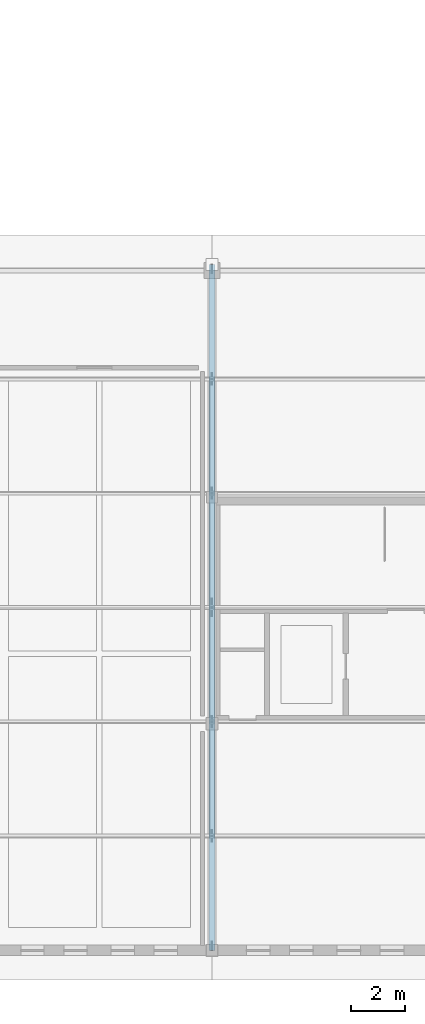
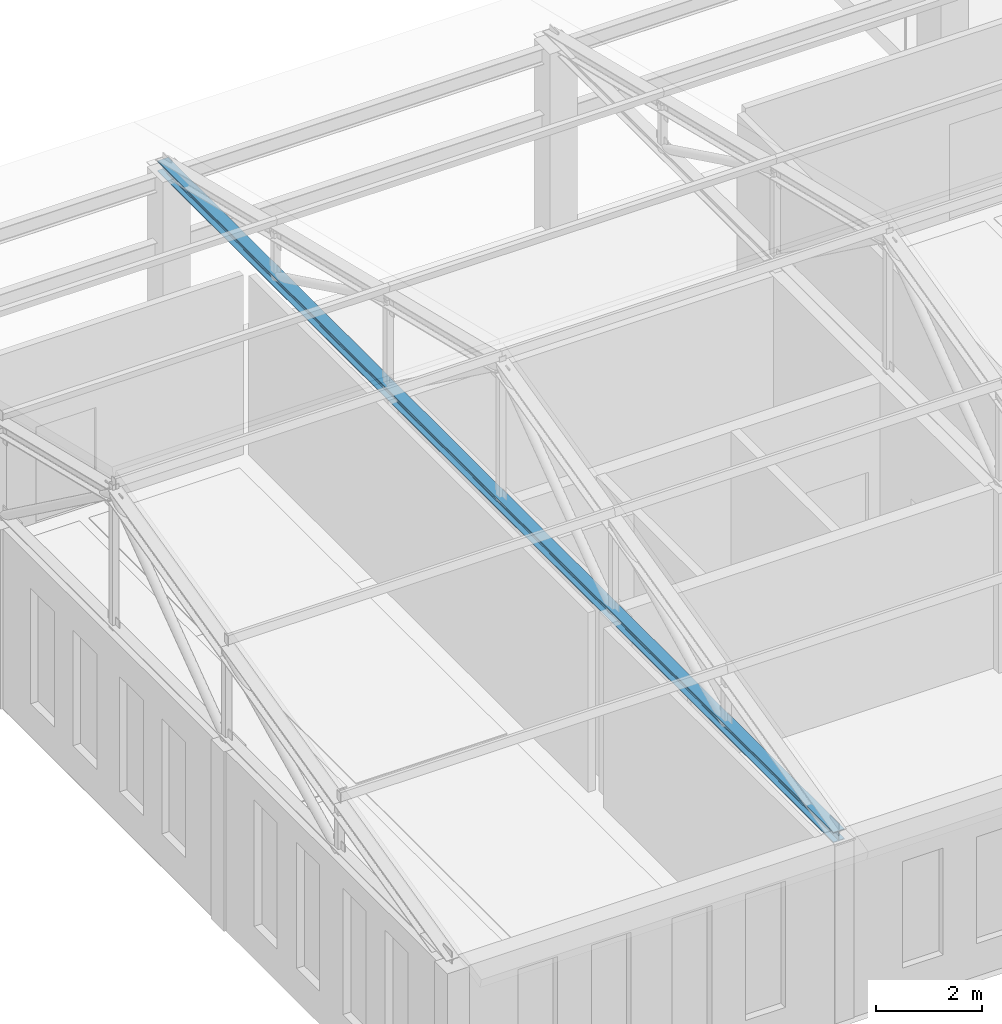
# One storey, part 16 of 192: 1 member.
"""IFC4 building model written with IfcOpenShell, lengths in metres."""

import ifcopenshell
import ifcopenshell.guid

model = None  # the IFC model being written
_history = None  # IfcOwnerHistory: only IFC2X3 demands one
_inside = {}  # id of a spatial element -> (the spatial element, [elements in it])
_under = {}  # id of a project, library or spatial element -> (it, [spatial elements below it])
_declared = {}  # id of a project -> (the project, [libraries it declares])
_typed = {}  # id of a type object -> (the type object, [elements of that type])
_made_of = {}  # id of a material, layer set ... -> (it, [elements and type objects made of it])


def new_model(schema):
    """Start an empty IFC model of exactly this schema.

    Asked for "IFC4X3", IfcOpenShell would pick the latest addendum, in which some entities
    have other attributes; the version numbers below select the first issue.
    IFC2X3 requires an IfcOwnerHistory on every rooted entity: one is made here for all.
    """
    global model, _history
    if schema == "IFC4X3":
        model = ifcopenshell.file(schema_version=(4, 3, 0, 0))
    else:
        model = ifcopenshell.file(schema=schema)
    _inside.clear()
    _under.clear()
    _declared.clear()
    _typed.clear()
    _made_of.clear()
    _history = None
    if model.schema == "IFC2X3":
        org = make("IfcOrganization", Name="unknown")
        user = make(
            "IfcPersonAndOrganization",
            ThePerson=make("IfcPerson", FamilyName="unknown"),
            TheOrganization=org,
        )
        app = make(
            "IfcApplication",
            ApplicationDeveloper=org,
            Version="unknown",
            ApplicationFullName="unknown",
            ApplicationIdentifier="unknown",
        )
        _history = make(
            "IfcOwnerHistory",
            OwningUser=user,
            OwningApplication=app,
            ChangeAction="ADDED",
            CreationDate=0,
        )
    return model


def make(cls, **values):
    """One entity of the class cls with the attributes given. An attribute that is None is left unset."""
    return model.create_entity(
        cls, **{name: value for name, value in values.items() if value is not None}
    )


def rooted(cls, **values):
    """An entity with a GlobalId (a new one), such as an element, a storey or a relation."""
    return make(cls, GlobalId=ifcopenshell.guid.new(), OwnerHistory=_history, **values)


def si_unit(unit_type, name, prefix=None):
    """IfcSIUnit, for example si_unit("LENGTHUNIT", "METRE", prefix="MILLI")."""
    return make("IfcSIUnit", UnitType=unit_type, Prefix=prefix, Name=name)


def assignment(units):
    """IfcUnitAssignment: the units of a project."""
    return None if units is None else make("IfcUnitAssignment", Units=units)


def point(xyz):
    """IfcCartesianPoint."""
    return None if xyz is None else make("IfcCartesianPoint", Coordinates=xyz)


def direction(xyz):
    """IfcDirection."""
    return None if xyz is None else make("IfcDirection", DirectionRatios=xyz)


def frame(location, z_axis=None, x_axis=None):
    """IfcAxis2Placement3D, a coordinate frame: its origin and axes. An axis left out is left unset."""
    return make(
        "IfcAxis2Placement3D",
        Location=point(location),
        Axis=direction(z_axis),
        RefDirection=direction(x_axis),
    )


def frame_2d(location, x_axis=None):
    """IfcAxis2Placement2D, a coordinate frame in the plane: its origin and x axis."""
    return make(
        "IfcAxis2Placement2D", Location=point(location), RefDirection=direction(x_axis)
    )


def origin():
    """The frame at (0, 0, 0) with its axes left unset."""
    return frame((0.0, 0.0, 0.0))


def origin_2d():
    """The frame at (0, 0) in the plane with its x axis left unset."""
    return frame_2d((0.0, 0.0))


def place(relative_to, where):
    """IfcLocalPlacement: puts the frame where relative to a parent placement (None: the world)."""
    return make(
        "IfcLocalPlacement", PlacementRelTo=relative_to, RelativePlacement=where
    )


def context(
    kind, dimensions, precision=None, world=None, true_north=None, identifier=None
):
    """IfcGeometricRepresentationContext, for example the 3D "Model" context."""
    return make(
        "IfcGeometricRepresentationContext",
        ContextIdentifier=identifier,
        ContextType=kind,
        CoordinateSpaceDimension=dimensions,
        Precision=precision,
        WorldCoordinateSystem=world,
        TrueNorth=true_north,
    )


def subcontext(parent, identifier, kind, view, scale=None):
    """IfcGeometricRepresentationSubContext, for example "Body" below "Model"."""
    return make(
        "IfcGeometricRepresentationSubContext",
        ContextIdentifier=identifier,
        ContextType=kind,
        ParentContext=parent,
        TargetScale=scale,
        TargetView=view,
    )


def project(units=None, contexts=None):
    """IfcProject with its units and contexts."""
    return rooted(
        "IfcProject",
        Name="project",
        RepresentationContexts=contexts,
        UnitsInContext=assignment(units),
    )


def spatial(cls, under=None, at=None, **own):
    """A site, building, storey or space (cls), placed at a placement, below another one or the project."""
    s = rooted(cls, ObjectPlacement=at, **own)
    if under is not None:
        _under.setdefault(under.id(), (under, []))[1].append(s)
    return s


def profile(cls, at=None, kind="AREA", **sizes):
    """A parametric profile (cls). Its sizes go by their IFC names, for example OverallWidth=200.0."""
    return make(cls, ProfileType=kind, Position=at, **sizes)


def i_section(**sizes):
    """IfcIShapeProfileDef."""
    return profile("IfcIShapeProfileDef", **sizes)


def extrude(swept, where, along, depth):
    """IfcExtrudedAreaSolid: the profile swept, set in the frame where, extruded along a direction by depth."""
    return make(
        "IfcExtrudedAreaSolid",
        SweptArea=swept,
        Position=where,
        ExtrudedDirection=direction(along),
        Depth=depth,
    )


def shape(context_of_items, identifier, shape_type, items):
    """IfcShapeRepresentation: the items that make up one representation, for example the "Body"."""
    return make(
        "IfcShapeRepresentation",
        ContextOfItems=context_of_items,
        RepresentationIdentifier=identifier,
        RepresentationType=shape_type,
        Items=items,
    )


def material(Name=None, Category=None):
    """IfcMaterial."""
    return make("IfcMaterial", Name=Name, Category=Category)


def material_profile(
    of_material, cross_section, Name=None, Category=None, Priority=None
):
    """IfcMaterialProfile: a cross section and its material."""
    return make(
        "IfcMaterialProfile",
        Name=Name,
        Material=of_material,
        Profile=cross_section,
        Priority=Priority,
        Category=Category,
    )


def profile_set(profiles, Name=None, composite=None):
    """IfcMaterialProfileSet."""
    return make(
        "IfcMaterialProfileSet",
        Name=Name,
        MaterialProfiles=profiles,
        CompositeProfile=composite,
    )


def made_of(thing, what):
    """Note that an element or type object is made of a material, layer set ...; save() writes the relation."""
    if what is not None:
        _made_of.setdefault(what.id(), (what, []))[1].append(thing)
    return thing


def type_object(cls, material=None, **own):
    """A type object (cls), such as IfcWallType, which elements share."""
    return made_of(rooted(cls, **own), material)


def element(
    cls,
    number,
    at=None,
    inside=None,
    cuts=None,
    type_object=None,
    material=None,
    context=None,
    identifier="Body",
    shape_type=None,
    held_by="IfcProductDefinitionShape",
    body=None,
    shapes=None,
    **own,
):
    """One element of the class cls, such as IfcWall. Its Tag is "e" and its number.

    at: its placement. inside: the storey or other place that contains it. cuts: it is an
    opening in that element (IfcRelVoidsElement). A single representation is given by context,
    identifier, shape_type and body (its items); several are given by shapes. held_by: the class
    of the entity that holds the representations. save() writes the other relations.
    """
    e = rooted(cls, Tag="e%d" % number, ObjectPlacement=at, **own)
    if body is not None:
        shapes = [shape(context, identifier, shape_type, body)]
    if shapes is not None:
        e.Representation = make(held_by, Representations=shapes)
    if inside is not None:
        _inside.setdefault(inside.id(), (inside, []))[1].append(e)
    if cuts is not None:
        rooted(
            "IfcRelVoidsElement", RelatingBuildingElement=cuts, RelatedOpeningElement=e
        )
    if type_object is not None:
        _typed.setdefault(type_object.id(), (type_object, []))[1].append(e)
    return made_of(e, material)


def aggregate(whole, parts):
    """IfcRelAggregates: a whole, such as a stair, and the parts it consists of."""
    return rooted("IfcRelAggregates", RelatingObject=whole, RelatedObjects=parts)


def save(model, path):
    """Write the relations noted so far, then the file.

    IfcRelAggregates (storeys below a building ...), IfcRelContainedInSpatialStructure (elements
    in a storey), IfcRelDefinesByType, IfcRelAssociatesMaterial and IfcRelDeclares: one each for
    every whole, place, type object, material and project.
    """
    for whole, parts in _under.values():
        aggregate(whole, parts)
    for where, things in _inside.values():
        rooted(
            "IfcRelContainedInSpatialStructure",
            RelatedElements=things,
            RelatingStructure=where,
        )
    for kind, things in _typed.values():
        rooted("IfcRelDefinesByType", RelatedObjects=things, RelatingType=kind)
    for what, things in _made_of.values():
        rooted("IfcRelAssociatesMaterial", RelatedObjects=things, RelatingMaterial=what)
    for by, libraries in _declared.values():
        rooted("IfcRelDeclares", RelatingContext=by, RelatedDefinitions=libraries)
    model.write(path)


model = new_model("IFC4")

# Units and contexts
model_context = context("Model", 3, precision=1e-05, world=origin(), true_north=direction((0.0, 1.0)))
body_context = subcontext(model_context, "Body", "Model", "MODEL_VIEW")
ifc_project = project(units=[si_unit("LENGTHUNIT", "METRE"), si_unit("AREAUNIT", "SQUARE_METRE"), si_unit("VOLUMEUNIT", "CUBIC_METRE"), si_unit("PLANEANGLEUNIT", "RADIAN"), si_unit("MASSUNIT", "GRAM", prefix="KILO")], contexts=[model_context])

# Site, building, storey
site_placement = place(None, origin())
site = spatial("IfcSite", under=ifc_project, at=site_placement, CompositionType="ELEMENT")
building_placement = place(site_placement, origin())
building = spatial("IfcBuilding", under=site, at=building_placement, Name="Kveldsbrygga Polytechnic", CompositionType="ELEMENT")
storey_placement = place(building_placement, frame((0.0, 0.0, 5.43994140625)))
storey = spatial("IfcBuildingStorey", under=building, at=storey_placement, Name="L01", CompositionType="ELEMENT", Elevation=5.43994140625)

# Member
ifc_material = material(Name="Steel S355", Category="steel")
ifc_material_profile = material_profile(ifc_material, i_section(OverallWidth=0.239990234375, OverallDepth=0.239990234375, WebThickness=0.010009765625, FlangeThickness=0.01708984375, FilletRadius=0.02099609375, at=origin_2d()), Name="HEB 240")
ifc_profile_set = profile_set([ifc_material_profile], Name="Steel S355")
member_type = type_object("IfcMemberType", Name="TR-BOT-HEB240", PredefinedType="CHORD", material=ifc_profile_set)
member_placement = place(storey_placement, frame((8.39990234375, 0.0, 4.1201171875), z_axis=(0.0, 1.0, 0.0), x_axis=(-1.0, 0.0, 0.0)))
element("IfcMember", 1, at=member_placement, inside=storey, type_object=member_type, Name="Truss Bottom Chord V5S-T02-BC-1", PredefinedType="CHORD", context=body_context, shape_type="SweptSolid", body=[
    extrude(i_section(OverallWidth=0.239990234375, OverallDepth=0.239990234375, WebThickness=0.010009765625, FlangeThickness=0.01708984375, FilletRadius=0.02099609375, at=origin_2d()), origin(), (0.0, 0.0, 1.0), 25.419921875),
])

save(model, "model.ifc")
